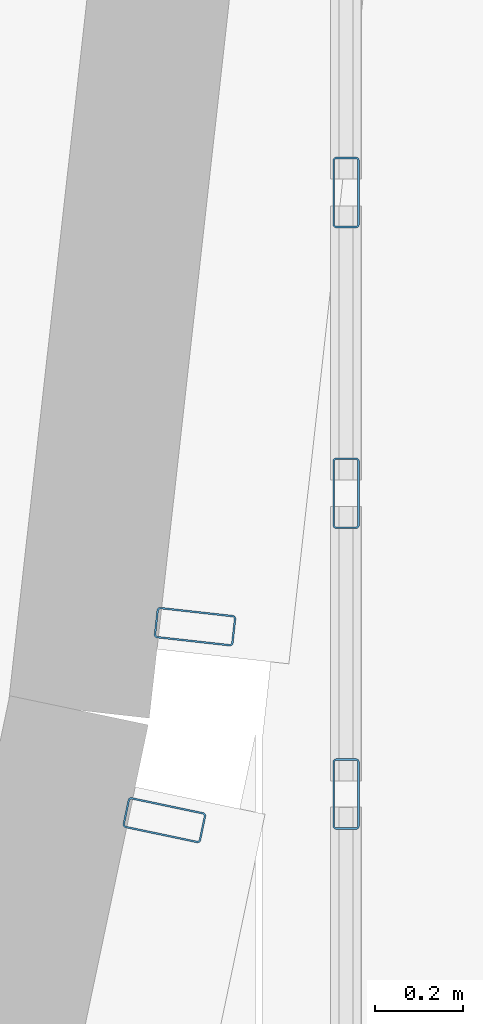
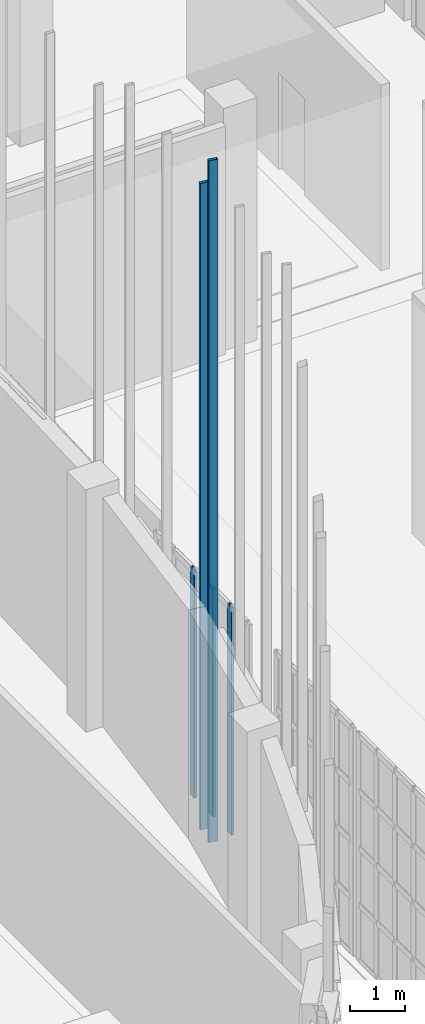
# One storey, part 277 of 372: 5 members, 1 element without a shape of its own.
"""IFC4 building model written with IfcOpenShell, lengths in metres."""

from ifc_helpers import new_model, si_unit, direction, frame, origin, origin_2d, place, context, subcontext, project, spatial, hollow_rectangle, extrude, material, material_profile, profile_set, type_object, element, aggregate, save


model = new_model("IFC4")

# Units and contexts
model_context = context("Model", 3, precision=1e-05, world=origin(), true_north=direction((0.0, 1.0)))
body_context = subcontext(model_context, "Body", "Model", "MODEL_VIEW")
ifc_project = project(units=[si_unit("LENGTHUNIT", "METRE"), si_unit("AREAUNIT", "SQUARE_METRE"), si_unit("VOLUMEUNIT", "CUBIC_METRE"), si_unit("PLANEANGLEUNIT", "RADIAN"), si_unit("MASSUNIT", "GRAM", prefix="KILO")], contexts=[model_context])

# Site, building, storey
site_placement = place(None, origin())
site = spatial("IfcSite", under=ifc_project, at=site_placement, CompositionType="ELEMENT")
building_placement = place(site_placement, origin())
building = spatial("IfcBuilding", under=site, at=building_placement, Name="Kaelora Sail Theatre", CompositionType="ELEMENT")
storey_placement = place(building_placement, origin())
storey = spatial("IfcBuildingStorey", under=building, at=storey_placement, Name="L00", CompositionType="ELEMENT", Elevation=0.0)

# Curtain wall, members
ifc_material_1 = material(Name="Anodised aluminium and solar-control low-E IGU", Category="aluminium")
curtain_wall_type = type_object("IfcCurtainWallType", Name="ARC-CW-CW-FOY2", PredefinedType="NOTDEFINED", material=ifc_material_1)
curtain_wall_placement = place(storey_placement, origin())
curtain_wall = element("IfcCurtainWall", 1, at=curtain_wall_placement, inside=storey, type_object=curtain_wall_type, Name="Glazed Colonnade/Courtyard Curtain Wall COLE-W-L00-03", PredefinedType="NOTDEFINED")
ifc_material_2 = material(Name="Anodised aluminium 6063-T6", Category="aluminium")
ifc_material_profile_1 = material_profile(ifc_material_2, hollow_rectangle(XDim=0.06005859375, YDim=0.159912109375, WallThickness=0.00390625, InnerFilletRadius=0.00390625, OuterFilletRadius=0.008056640625, at=origin_2d()), Name="ALU-MULL 60x160x4")
ifc_profile_set_1 = profile_set([ifc_material_profile_1], Name="Anodised aluminium 6063-T6")
member_type_1 = type_object("IfcMemberType", Name="ARC-MEM-ML-160", PredefinedType="MULLION", material=ifc_profile_set_1)
member_1_placement = place(storey_placement, frame((147.489990234375, 39.8798828125, 0.0), z_axis=(0.0, 0.0, 1.0), x_axis=(-1.0, 0.0, 0.0)))
member_1 = element("IfcMember", 2, at=member_1_placement, type_object=member_type_1, Name="CW-FOY2 mullion 2", PredefinedType="MULLION", context=body_context, shape_type="SweptSolid", body=[
    extrude(hollow_rectangle(XDim=0.06005859375, YDim=0.159912109375, WallThickness=0.00390625, InnerFilletRadius=0.00390625, OuterFilletRadius=0.008056640625, at=origin_2d()), origin(), (0.0, 0.0, 1.0), 5.0849609375),
])
member_2_placement = place(storey_placement, frame((147.489990234375, 40.56005859375, 0.0), z_axis=(0.0, 0.0, 1.0), x_axis=(-1.0, 0.0, 0.0)))
member_2 = element("IfcMember", 3, at=member_2_placement, type_object=member_type_1, Name="CW-FOY2 mullion 3", PredefinedType="MULLION", context=body_context, shape_type="SweptSolid", body=[
    extrude(hollow_rectangle(XDim=0.06005859375, YDim=0.159912109375, WallThickness=0.00390625, InnerFilletRadius=0.00390625, OuterFilletRadius=0.008056640625, at=origin_2d()), origin(), (0.0, 0.0, 1.0), 5.0849609375),
])
member_3_placement = place(storey_placement, frame((147.489990234375, 41.239990234375, 0.0), z_axis=(0.0, 0.0, 1.0), x_axis=(-1.0, 0.0, 0.0)))
member_3 = element("IfcMember", 4, at=member_3_placement, type_object=member_type_1, Name="CW-FOY2 mullion 4", PredefinedType="MULLION", context=body_context, shape_type="SweptSolid", body=[
    extrude(hollow_rectangle(XDim=0.06005859375, YDim=0.159912109375, WallThickness=0.00390625, InnerFilletRadius=0.00390625, OuterFilletRadius=0.008056640625, at=origin_2d()), origin(), (0.0, 0.0, 1.0), 5.0849609375),
])
aggregate(curtain_wall, [member_1, member_2, member_3])

# Members
ifc_material_3 = material(Name="Anodised aluminium 6063-T6", Category="aluminium")
ifc_material_profile_2 = material_profile(ifc_material_3, hollow_rectangle(XDim=0.070068359375, YDim=0.179931640625, WallThickness=0.00390625, InnerFilletRadius=0.00390625, OuterFilletRadius=0.008056640625, at=origin_2d()), Name="ALU-MULL 70x180x4")
ifc_profile_set_2 = profile_set([ifc_material_profile_2], Name="Anodised aluminium 6063-T6")
member_type_2 = type_object("IfcMemberType", Name="ARC-MEM-PST-160", PredefinedType="POST", material=ifc_profile_set_2)
member_4_placement = place(storey_placement, frame((147.1484375, 40.25830078125, 0.0), z_axis=(0.0, 0.0, 1.0), x_axis=(-0.110775124211, -0.993845496974, 0.0)))
element("IfcMember", 5, at=member_4_placement, inside=storey, type_object=member_type_2, Name="Black-Box and Experimental Sail Wing solar louvre vertical support post C3-3", PredefinedType="POST", context=body_context, shape_type="SweptSolid", body=[
    extrude(hollow_rectangle(XDim=0.070068359375, YDim=0.179931640625, WallThickness=0.00390625, InnerFilletRadius=0.00390625, OuterFilletRadius=0.008056640625, at=origin_2d()), origin(), (0.0, 0.0, 1.0), 14.404541015625),
])
member_5_placement = place(storey_placement, frame((147.0791015625, 39.82080078125, 0.0), z_axis=(0.0, 0.0, 1.0), x_axis=(-0.205521007059, -0.978652704312, 0.0)))
element("IfcMember", 6, at=member_5_placement, inside=storey, type_object=member_type_2, Name="Black-Box and Experimental Sail Wing solar louvre vertical support post C4-1", PredefinedType="POST", context=body_context, shape_type="SweptSolid", body=[
    extrude(hollow_rectangle(XDim=0.070068359375, YDim=0.179931640625, WallThickness=0.00390625, InnerFilletRadius=0.00390625, OuterFilletRadius=0.008056640625, at=origin_2d()), origin(), (0.0, 0.0, 1.0), 15.19921875),
])

save(model, "model.ifc")
